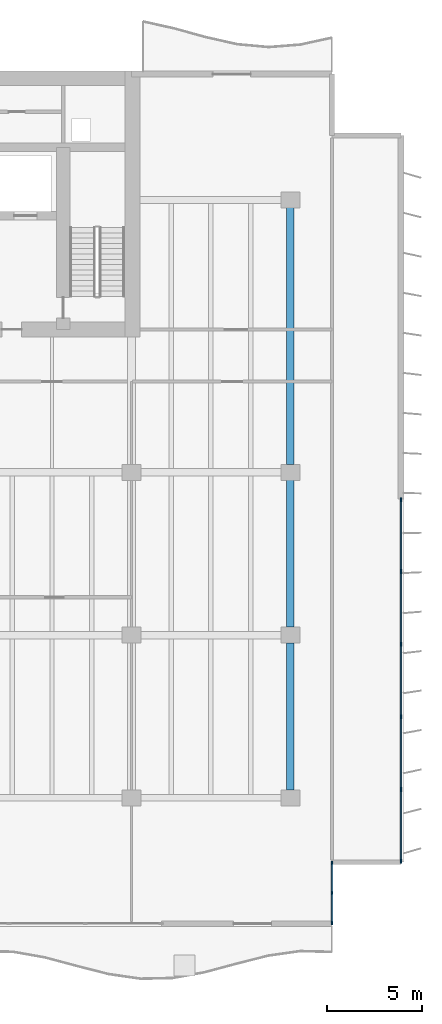
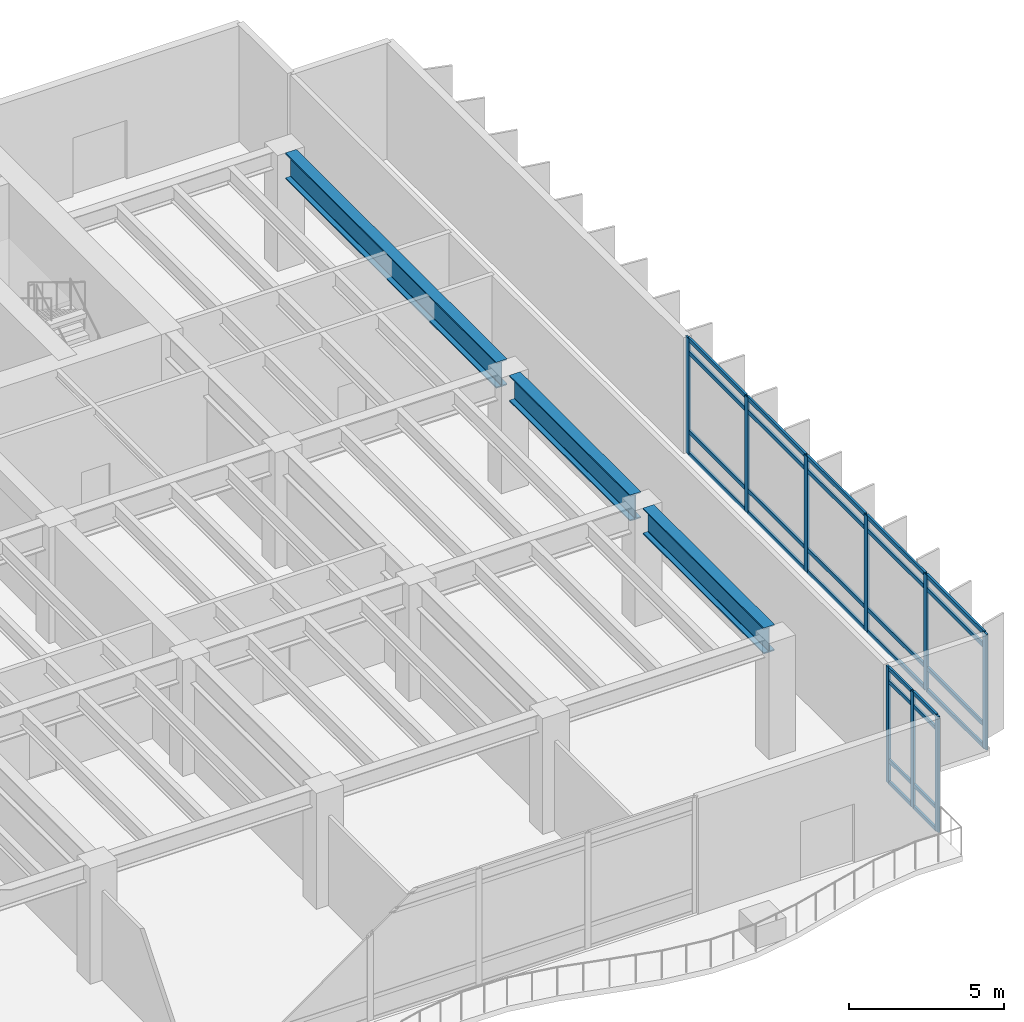
# One storey, part 6 of 16: 37 members, 3 beams, 2 elements without a shape of their own.
"""IFC4 building model written with IfcOpenShell, lengths in metres."""

from ifc_helpers import new_model, si_unit, direction, frame, origin, origin_2d, place, context, subcontext, project, spatial, rectangle, i_section, extrude, material, layer, layer_set, material_profile, profile_set, type_object, element, aggregate, save


model = new_model("IFC4")

# Units and contexts
model_context = context("Model", 3, precision=1e-05, world=origin(), true_north=direction((0.0, 1.0)))
body_context = subcontext(model_context, "Body", "Model", "MODEL_VIEW")
ifc_project = project(units=[si_unit("LENGTHUNIT", "METRE"), si_unit("AREAUNIT", "SQUARE_METRE"), si_unit("VOLUMEUNIT", "CUBIC_METRE"), si_unit("PLANEANGLEUNIT", "RADIAN"), si_unit("MASSUNIT", "GRAM", prefix="KILO")], contexts=[model_context])

# Site, building, storey
site_placement = place(None, origin())
site = spatial("IfcSite", under=ifc_project, at=site_placement, CompositionType="ELEMENT")
building_placement = place(site_placement, origin())
building = spatial("IfcBuilding", under=site, at=building_placement, Name="Caelmar Bay Residences", CompositionType="ELEMENT")
storey_placement = place(building_placement, frame((0.0, 0.0, 97.800048828125)))
storey = spatial("IfcBuildingStorey", under=building, at=storey_placement, Name="L26", CompositionType="ELEMENT", Elevation=97.800048828125)

# Beams
ifc_material_1 = material(Name="Steel ASTM A992 Grade 50", Category="steel")
ifc_material_profile_1 = material_profile(ifc_material_1, i_section(OverallWidth=0.404052734375, OverallDepth=1.02099609375, WebThickness=0.025390625, FlangeThickness=0.0458984375, FilletRadius=0.02294921875, at=origin_2d()), Name="W40X324")
ifc_profile_set_1 = profile_set([ifc_material_profile_1], Name="Steel ASTM A992 Grade 50")
beam_type = type_object("IfcBeamType", Name="BM-GRD-W40X324", PredefinedType="BEAM", material=ifc_profile_set_1)
for number, where, z_axis, x_axis, name in (
    (1, (67.89990234375, 12.614990234375, 4.03955078125), (0.0, 1.0, 0.0), (-1.0, 0.0, 0.0), "L26 North-South Girder X=67.90 (12.2-20.8)"),
    (2, (67.89990234375, 21.215087890625, 4.03955078125), (0.0, 1.0, 0.0), (-1.0, 0.0, 0.0), "L26 North-South Girder X=67.90 (20.8-29.4)"),
):
    element("IfcBeam", number, at=place(storey_placement, frame(where, z_axis=z_axis, x_axis=x_axis)), inside=storey, type_object=beam_type, Name=name, PredefinedType="BEAM", context=body_context, shape_type="SweptSolid", body=[
        extrude(i_section(OverallWidth=0.404052734375, OverallDepth=1.02099609375, WebThickness=0.025390625, FlangeThickness=0.0458984375, FilletRadius=0.02294921875, at=origin_2d()), origin(), (0.0, 0.0, 1.0), 7.77001953125),
    ])
beam_placement = place(storey_placement, frame((67.89990234375, 29.81494140625, 4.03955078125), z_axis=(0.0, 1.0, 0.0), x_axis=(-1.0, 0.0, 0.0)))
element("IfcBeam", 3, at=beam_placement, inside=storey, type_object=beam_type, Name="L26 North-South Girder X=67.90 (29.4-43.8)", PredefinedType="BEAM", context=body_context, shape_type="SweptSolid", body=[
    extrude(i_section(OverallWidth=0.404052734375, OverallDepth=1.02099609375, WebThickness=0.025390625, FlangeThickness=0.0458984375, FilletRadius=0.02294921875, at=origin_2d()), origin(), (0.0, 0.0, 1.0), 13.570068359375),
])

# Curtain wall, members
ifc_material_2 = material(Name="Anodised bronze aluminium 6063-T6 and laminated glass", Category="aluminium")
ifc_layer_1 = layer(ifc_material_2, 0.179931640625)
ifc_layer_set_1 = layer_set([ifc_layer_1], Name="Anodised bronze aluminium 6063-T6 and laminated glass")
curtain_wall_type_1 = type_object("IfcCurtainWallType", Name="CW6-NTC", PredefinedType="NOTDEFINED", material=ifc_layer_set_1)
curtain_wall_1_placement = place(storey_placement, origin())
curtain_wall_1 = element("IfcCurtainWall", 4, at=curtain_wall_1_placement, inside=storey, type_object=curtain_wall_type_1, Name="CW6 curtain wall L26", PredefinedType="NOTDEFINED")
ifc_material_3 = material(Name="Anodised bronze aluminium 6063-T6", Category="aluminium")
ifc_material_profile_2 = material_profile(ifc_material_3, rectangle(XDim=0.080078125, YDim=0.179931640625, at=origin_2d()), Name="CWM-80X180")
ifc_profile_set_2 = profile_set([ifc_material_profile_2], Name="Anodised bronze aluminium 6063-T6")
member_type_1 = type_object("IfcMemberType", Name="CWM-180", PredefinedType="MULLION", material=ifc_profile_set_2)
member_1_placement = place(storey_placement, frame((70.10009765625, 5.590087890625, 0.0), z_axis=(0.0, 0.0, 1.0), x_axis=(-1.0, 0.0, 0.0)))
member_1 = element("IfcMember", 5, at=member_1_placement, type_object=member_type_1, Name="CW6 mullion 1", PredefinedType="MULLION", context=body_context, shape_type="SweptSolid", body=[
    extrude(rectangle(XDim=0.080078125, YDim=0.179931640625, at=origin_2d()), origin(), (0.0, 0.0, 1.0), 4.550048828125),
])
member_2_placement = place(storey_placement, frame((70.10009765625, 7.175048828125, 0.0), z_axis=(0.0, 0.0, 1.0), x_axis=(-1.0, 0.0, 0.0)))
member_2 = element("IfcMember", 6, at=member_2_placement, type_object=member_type_1, Name="CW6 mullion 2", PredefinedType="MULLION", context=body_context, shape_type="SweptSolid", body=[
    extrude(rectangle(XDim=0.080078125, YDim=0.179931640625, at=origin_2d()), origin(), (0.0, 0.0, 1.0), 4.550048828125),
])
member_3_placement = place(storey_placement, frame((70.10009765625, 8.760009765625, 0.0), z_axis=(0.0, 0.0, 1.0), x_axis=(-1.0, 0.0, 0.0)))
member_3 = element("IfcMember", 7, at=member_3_placement, type_object=member_type_1, Name="CW6 mullion 3", PredefinedType="MULLION", context=body_context, shape_type="SweptSolid", body=[
    extrude(rectangle(XDim=0.080078125, YDim=0.179931640625, at=origin_2d()), origin(), (0.0, 0.0, 1.0), 4.550048828125),
])

ifc_layer_2 = layer(ifc_material_2, 0.179931640625)
ifc_layer_set_2 = layer_set([ifc_layer_2], Name="Anodised bronze aluminium 6063-T6 and laminated glass")
curtain_wall_type_2 = type_object("IfcCurtainWallType", Name="CW7-CRN", PredefinedType="NOTDEFINED", material=ifc_layer_set_2)
curtain_wall_2_placement = place(storey_placement, origin())
curtain_wall_2 = element("IfcCurtainWall", 8, at=curtain_wall_2_placement, inside=storey, type_object=curtain_wall_type_2, Name="CW7 curtain wall L26", PredefinedType="NOTDEFINED")
ifc_material_profile_3 = material_profile(ifc_material_3, rectangle(XDim=0.080078125, YDim=0.219970703125, at=origin_2d()), Name="CWM-80X220")
ifc_profile_set_3 = profile_set([ifc_material_profile_3], Name="Anodised bronze aluminium 6063-T6")
member_type_2 = type_object("IfcMemberType", Name="CWM-220", PredefinedType="MULLION", material=ifc_profile_set_3)
member_4_placement = place(storey_placement, frame((73.75, 27.9599609375, 0.0), z_axis=(0.0, 0.0, 1.0), x_axis=(1.0, 0.0, 0.0)))
member_4 = element("IfcMember", 9, at=member_4_placement, type_object=member_type_2, Name="CW7 mullion 1", PredefinedType="MULLION", context=body_context, shape_type="SweptSolid", body=[
    extrude(rectangle(XDim=0.080078125, YDim=0.219970703125, at=origin_2d()), origin(), (0.0, 0.0, 1.0), 4.550048828125),
])
member_5_placement = place(storey_placement, frame((73.75, 24.159912109375, 0.0), z_axis=(0.0, 0.0, 1.0), x_axis=(1.0, 0.0, 0.0)))
member_5 = element("IfcMember", 10, at=member_5_placement, type_object=member_type_2, Name="CW7 mullion 2", PredefinedType="MULLION", context=body_context, shape_type="SweptSolid", body=[
    extrude(rectangle(XDim=0.080078125, YDim=0.219970703125, at=origin_2d()), origin(), (0.0, 0.0, 1.0), 4.550048828125),
])
member_6_placement = place(storey_placement, frame((73.75, 20.320068359375, 0.0), z_axis=(0.0, 0.0, 1.0), x_axis=(1.0, 0.0, 0.0)))
member_6 = element("IfcMember", 11, at=member_6_placement, type_object=member_type_2, Name="CW7 mullion 3", PredefinedType="MULLION", context=body_context, shape_type="SweptSolid", body=[
    extrude(rectangle(XDim=0.080078125, YDim=0.219970703125, at=origin_2d()), origin(), (0.0, 0.0, 1.0), 4.550048828125),
])
member_7_placement = place(storey_placement, frame((73.75, 16.47998046875, 0.0), z_axis=(0.0, 0.0, 1.0), x_axis=(1.0, 0.0, 0.0)))
member_7 = element("IfcMember", 12, at=member_7_placement, type_object=member_type_2, Name="CW7 mullion 4", PredefinedType="MULLION", context=body_context, shape_type="SweptSolid", body=[
    extrude(rectangle(XDim=0.080078125, YDim=0.219970703125, at=origin_2d()), origin(), (0.0, 0.0, 1.0), 4.550048828125),
])
member_8_placement = place(storey_placement, frame((73.75, 12.639892578125, 0.0), z_axis=(0.0, 0.0, 1.0), x_axis=(1.0, 0.0, 0.0)))
member_8 = element("IfcMember", 13, at=member_8_placement, type_object=member_type_2, Name="CW7 mullion 5", PredefinedType="MULLION", context=body_context, shape_type="SweptSolid", body=[
    extrude(rectangle(XDim=0.080078125, YDim=0.219970703125, at=origin_2d()), origin(), (0.0, 0.0, 1.0), 4.550048828125),
])
member_9_placement = place(storey_placement, frame((73.75, 8.840087890625, 0.0), z_axis=(0.0, 0.0, 1.0), x_axis=(1.0, 0.0, 0.0)))
member_9 = element("IfcMember", 14, at=member_9_placement, type_object=member_type_2, Name="CW7 mullion 6", PredefinedType="MULLION", context=body_context, shape_type="SweptSolid", body=[
    extrude(rectangle(XDim=0.080078125, YDim=0.219970703125, at=origin_2d()), origin(), (0.0, 0.0, 1.0), 4.550048828125),
])

# Member
ifc_material_profile_4 = material_profile(ifc_material_3, rectangle(XDim=0.080078125, YDim=0.139892578125, at=origin_2d()), Name="CWT-80X140")
ifc_profile_set_4 = profile_set([ifc_material_profile_4], Name="Anodised bronze aluminium 6063-T6")
member_type_3 = type_object("IfcMemberType", Name="CWT-140", PredefinedType="NOTDEFINED", material=ifc_profile_set_4)
member_10_placement = place(storey_placement, frame((70.10009765625, 5.6298828125, 0.0400390625), z_axis=(0.0, 1.0, 0.0), x_axis=(-1.0, 0.0, 0.0)))
member_10 = element("IfcMember", 15, at=member_10_placement, type_object=member_type_3, Name="CW6 transom 1.1", ObjectType="TRANSOM", PredefinedType="USERDEFINED", context=body_context, shape_type="SweptSolid", body=[
    extrude(rectangle(XDim=0.080078125, YDim=0.139892578125, at=origin_2d()), origin(), (0.0, 0.0, 1.0), 1.505126953125),
])

member_11_placement = place(storey_placement, frame((70.10009765625, 5.6298828125, 0.89990234375), z_axis=(0.0, 1.0, 0.0), x_axis=(-1.0, 0.0, 0.0)))
member_11 = element("IfcMember", 16, at=member_11_placement, type_object=member_type_3, Name="CW6 transom 1.2", ObjectType="TRANSOM", PredefinedType="USERDEFINED", context=body_context, shape_type="SweptSolid", body=[
    extrude(rectangle(XDim=0.080078125, YDim=0.139892578125, at=origin_2d()), origin(), (0.0, 0.0, 1.0), 1.505126953125),
])

member_12_placement = place(storey_placement, frame((70.10009765625, 5.6298828125, 4.0), z_axis=(0.0, 1.0, 0.0), x_axis=(-1.0, 0.0, 0.0)))
member_12 = element("IfcMember", 17, at=member_12_placement, type_object=member_type_3, Name="CW6 transom 1.3", ObjectType="TRANSOM", PredefinedType="USERDEFINED", context=body_context, shape_type="SweptSolid", body=[
    extrude(rectangle(XDim=0.080078125, YDim=0.139892578125, at=origin_2d()), origin(), (0.0, 0.0, 1.0), 1.505126953125),
])

member_13_placement = place(storey_placement, frame((70.10009765625, 5.6298828125, 4.510009765625), z_axis=(0.0, 1.0, 0.0), x_axis=(-1.0, 0.0, 0.0)))
member_13 = element("IfcMember", 18, at=member_13_placement, type_object=member_type_3, Name="CW6 transom 1.4", ObjectType="TRANSOM", PredefinedType="USERDEFINED", context=body_context, shape_type="SweptSolid", body=[
    extrude(rectangle(XDim=0.080078125, YDim=0.139892578125, at=origin_2d()), origin(), (0.0, 0.0, 1.0), 1.505126953125),
])

member_14_placement = place(storey_placement, frame((70.10009765625, 7.215087890625, 0.0400390625), z_axis=(0.0, 1.0, 0.0), x_axis=(-1.0, 0.0, 0.0)))
member_14 = element("IfcMember", 19, at=member_14_placement, type_object=member_type_3, Name="CW6 transom 2.1", ObjectType="TRANSOM", PredefinedType="USERDEFINED", context=body_context, shape_type="SweptSolid", body=[
    extrude(rectangle(XDim=0.080078125, YDim=0.139892578125, at=origin_2d()), origin(), (0.0, 0.0, 1.0), 1.5048828125),
])

member_15_placement = place(storey_placement, frame((70.10009765625, 7.215087890625, 0.89990234375), z_axis=(0.0, 1.0, 0.0), x_axis=(-1.0, 0.0, 0.0)))
member_15 = element("IfcMember", 20, at=member_15_placement, type_object=member_type_3, Name="CW6 transom 2.2", ObjectType="TRANSOM", PredefinedType="USERDEFINED", context=body_context, shape_type="SweptSolid", body=[
    extrude(rectangle(XDim=0.080078125, YDim=0.139892578125, at=origin_2d()), origin(), (0.0, 0.0, 1.0), 1.5048828125),
])

member_16_placement = place(storey_placement, frame((70.10009765625, 7.215087890625, 4.0), z_axis=(0.0, 1.0, 0.0), x_axis=(-1.0, 0.0, 0.0)))
member_16 = element("IfcMember", 21, at=member_16_placement, type_object=member_type_3, Name="CW6 transom 2.3", ObjectType="TRANSOM", PredefinedType="USERDEFINED", context=body_context, shape_type="SweptSolid", body=[
    extrude(rectangle(XDim=0.080078125, YDim=0.139892578125, at=origin_2d()), origin(), (0.0, 0.0, 1.0), 1.5048828125),
])

member_17_placement = place(storey_placement, frame((70.10009765625, 7.215087890625, 4.510009765625), z_axis=(0.0, 1.0, 0.0), x_axis=(-1.0, 0.0, 0.0)))
member_17 = element("IfcMember", 22, at=member_17_placement, type_object=member_type_3, Name="CW6 transom 2.4", ObjectType="TRANSOM", PredefinedType="USERDEFINED", context=body_context, shape_type="SweptSolid", body=[
    extrude(rectangle(XDim=0.080078125, YDim=0.139892578125, at=origin_2d()), origin(), (0.0, 0.0, 1.0), 1.5048828125),
])

aggregate(curtain_wall_1, [member_1, member_2, member_3, member_10, member_11, member_12, member_13, member_14, member_15, member_16, member_17])

ifc_material_profile_5 = material_profile(ifc_material_3, rectangle(XDim=0.080078125, YDim=0.159912109375, at=origin_2d()), Name="CWT-80X160")
ifc_profile_set_5 = profile_set([ifc_material_profile_5], Name="Anodised bronze aluminium 6063-T6")
member_type_4 = type_object("IfcMemberType", Name="CWT-160", PredefinedType="NOTDEFINED", material=ifc_profile_set_5)
member_18_placement = place(storey_placement, frame((73.75, 27.919921875, 0.0400390625), z_axis=(0.0, -1.0, 0.0), x_axis=(1.0, 0.0, 0.0)))
member_18 = element("IfcMember", 23, at=member_18_placement, type_object=member_type_4, Name="CW7 transom 1.1", ObjectType="TRANSOM", PredefinedType="USERDEFINED", context=body_context, shape_type="SweptSolid", body=[
    extrude(rectangle(XDim=0.080078125, YDim=0.159912109375, at=origin_2d()), origin(), (0.0, 0.0, 1.0), 3.719970703125),
])

member_19_placement = place(storey_placement, frame((73.75, 27.919921875, 0.89990234375), z_axis=(0.0, -1.0, 0.0), x_axis=(1.0, 0.0, 0.0)))
member_19 = element("IfcMember", 24, at=member_19_placement, type_object=member_type_4, Name="CW7 transom 1.2", ObjectType="TRANSOM", PredefinedType="USERDEFINED", context=body_context, shape_type="SweptSolid", body=[
    extrude(rectangle(XDim=0.080078125, YDim=0.159912109375, at=origin_2d()), origin(), (0.0, 0.0, 1.0), 3.719970703125),
])

member_20_placement = place(storey_placement, frame((73.75, 27.919921875, 4.0), z_axis=(0.0, -1.0, 0.0), x_axis=(1.0, 0.0, 0.0)))
member_20 = element("IfcMember", 25, at=member_20_placement, type_object=member_type_4, Name="CW7 transom 1.3", ObjectType="TRANSOM", PredefinedType="USERDEFINED", context=body_context, shape_type="SweptSolid", body=[
    extrude(rectangle(XDim=0.080078125, YDim=0.159912109375, at=origin_2d()), origin(), (0.0, 0.0, 1.0), 3.719970703125),
])

member_21_placement = place(storey_placement, frame((73.75, 27.919921875, 4.510009765625), z_axis=(0.0, -1.0, 0.0), x_axis=(1.0, 0.0, 0.0)))
member_21 = element("IfcMember", 26, at=member_21_placement, type_object=member_type_4, Name="CW7 transom 1.4", ObjectType="TRANSOM", PredefinedType="USERDEFINED", context=body_context, shape_type="SweptSolid", body=[
    extrude(rectangle(XDim=0.080078125, YDim=0.159912109375, at=origin_2d()), origin(), (0.0, 0.0, 1.0), 3.719970703125),
])

member_22_placement = place(storey_placement, frame((73.75, 24.1201171875, 0.0400390625), z_axis=(0.0, -1.0, 0.0), x_axis=(1.0, 0.0, 0.0)))
member_22 = element("IfcMember", 27, at=member_22_placement, type_object=member_type_4, Name="CW7 transom 2.1", ObjectType="TRANSOM", PredefinedType="USERDEFINED", context=body_context, shape_type="SweptSolid", body=[
    extrude(rectangle(XDim=0.080078125, YDim=0.159912109375, at=origin_2d()), origin(), (0.0, 0.0, 1.0), 3.760009765625),
])

member_23_placement = place(storey_placement, frame((73.75, 24.1201171875, 0.89990234375), z_axis=(0.0, -1.0, 0.0), x_axis=(1.0, 0.0, 0.0)))
member_23 = element("IfcMember", 28, at=member_23_placement, type_object=member_type_4, Name="CW7 transom 2.2", ObjectType="TRANSOM", PredefinedType="USERDEFINED", context=body_context, shape_type="SweptSolid", body=[
    extrude(rectangle(XDim=0.080078125, YDim=0.159912109375, at=origin_2d()), origin(), (0.0, 0.0, 1.0), 3.760009765625),
])

member_24_placement = place(storey_placement, frame((73.75, 24.1201171875, 4.0), z_axis=(0.0, -1.0, 0.0), x_axis=(1.0, 0.0, 0.0)))
member_24 = element("IfcMember", 29, at=member_24_placement, type_object=member_type_4, Name="CW7 transom 2.3", ObjectType="TRANSOM", PredefinedType="USERDEFINED", context=body_context, shape_type="SweptSolid", body=[
    extrude(rectangle(XDim=0.080078125, YDim=0.159912109375, at=origin_2d()), origin(), (0.0, 0.0, 1.0), 3.760009765625),
])

member_25_placement = place(storey_placement, frame((73.75, 24.1201171875, 4.510009765625), z_axis=(0.0, -1.0, 0.0), x_axis=(1.0, 0.0, 0.0)))
member_25 = element("IfcMember", 30, at=member_25_placement, type_object=member_type_4, Name="CW7 transom 2.4", ObjectType="TRANSOM", PredefinedType="USERDEFINED", context=body_context, shape_type="SweptSolid", body=[
    extrude(rectangle(XDim=0.080078125, YDim=0.159912109375, at=origin_2d()), origin(), (0.0, 0.0, 1.0), 3.760009765625),
])

member_26_placement = place(storey_placement, frame((73.75, 20.280029296875, 0.0400390625), z_axis=(0.0, -1.0, 0.0), x_axis=(1.0, 0.0, 0.0)))
member_26 = element("IfcMember", 31, at=member_26_placement, type_object=member_type_4, Name="CW7 transom 3.1", ObjectType="TRANSOM", PredefinedType="USERDEFINED", context=body_context, shape_type="SweptSolid", body=[
    extrude(rectangle(XDim=0.080078125, YDim=0.159912109375, at=origin_2d()), origin(), (0.0, 0.0, 1.0), 3.760009765625),
])

member_27_placement = place(storey_placement, frame((73.75, 20.280029296875, 0.89990234375), z_axis=(0.0, -1.0, 0.0), x_axis=(1.0, 0.0, 0.0)))
member_27 = element("IfcMember", 32, at=member_27_placement, type_object=member_type_4, Name="CW7 transom 3.2", ObjectType="TRANSOM", PredefinedType="USERDEFINED", context=body_context, shape_type="SweptSolid", body=[
    extrude(rectangle(XDim=0.080078125, YDim=0.159912109375, at=origin_2d()), origin(), (0.0, 0.0, 1.0), 3.760009765625),
])

member_28_placement = place(storey_placement, frame((73.75, 20.280029296875, 4.0), z_axis=(0.0, -1.0, 0.0), x_axis=(1.0, 0.0, 0.0)))
member_28 = element("IfcMember", 33, at=member_28_placement, type_object=member_type_4, Name="CW7 transom 3.3", ObjectType="TRANSOM", PredefinedType="USERDEFINED", context=body_context, shape_type="SweptSolid", body=[
    extrude(rectangle(XDim=0.080078125, YDim=0.159912109375, at=origin_2d()), origin(), (0.0, 0.0, 1.0), 3.760009765625),
])

member_29_placement = place(storey_placement, frame((73.75, 20.280029296875, 4.510009765625), z_axis=(0.0, -1.0, 0.0), x_axis=(1.0, 0.0, 0.0)))
member_29 = element("IfcMember", 34, at=member_29_placement, type_object=member_type_4, Name="CW7 transom 3.4", ObjectType="TRANSOM", PredefinedType="USERDEFINED", context=body_context, shape_type="SweptSolid", body=[
    extrude(rectangle(XDim=0.080078125, YDim=0.159912109375, at=origin_2d()), origin(), (0.0, 0.0, 1.0), 3.760009765625),
])

member_30_placement = place(storey_placement, frame((73.75, 16.43994140625, 0.0400390625), z_axis=(0.0, -1.0, 0.0), x_axis=(1.0, 0.0, 0.0)))
member_30 = element("IfcMember", 35, at=member_30_placement, type_object=member_type_4, Name="CW7 transom 4.1", ObjectType="TRANSOM", PredefinedType="USERDEFINED", context=body_context, shape_type="SweptSolid", body=[
    extrude(rectangle(XDim=0.080078125, YDim=0.159912109375, at=origin_2d()), origin(), (0.0, 0.0, 1.0), 3.760009765625),
])

member_31_placement = place(storey_placement, frame((73.75, 16.43994140625, 0.89990234375), z_axis=(0.0, -1.0, 0.0), x_axis=(1.0, 0.0, 0.0)))
member_31 = element("IfcMember", 36, at=member_31_placement, type_object=member_type_4, Name="CW7 transom 4.2", ObjectType="TRANSOM", PredefinedType="USERDEFINED", context=body_context, shape_type="SweptSolid", body=[
    extrude(rectangle(XDim=0.080078125, YDim=0.159912109375, at=origin_2d()), origin(), (0.0, 0.0, 1.0), 3.760009765625),
])

member_32_placement = place(storey_placement, frame((73.75, 16.43994140625, 4.0), z_axis=(0.0, -1.0, 0.0), x_axis=(1.0, 0.0, 0.0)))
member_32 = element("IfcMember", 37, at=member_32_placement, type_object=member_type_4, Name="CW7 transom 4.3", ObjectType="TRANSOM", PredefinedType="USERDEFINED", context=body_context, shape_type="SweptSolid", body=[
    extrude(rectangle(XDim=0.080078125, YDim=0.159912109375, at=origin_2d()), origin(), (0.0, 0.0, 1.0), 3.760009765625),
])

member_33_placement = place(storey_placement, frame((73.75, 16.43994140625, 4.510009765625), z_axis=(0.0, -1.0, 0.0), x_axis=(1.0, 0.0, 0.0)))
member_33 = element("IfcMember", 38, at=member_33_placement, type_object=member_type_4, Name="CW7 transom 4.4", ObjectType="TRANSOM", PredefinedType="USERDEFINED", context=body_context, shape_type="SweptSolid", body=[
    extrude(rectangle(XDim=0.080078125, YDim=0.159912109375, at=origin_2d()), origin(), (0.0, 0.0, 1.0), 3.760009765625),
])

member_34_placement = place(storey_placement, frame((73.75, 12.60009765625, 0.0400390625), z_axis=(0.0, -1.0, 0.0), x_axis=(1.0, 0.0, 0.0)))
member_34 = element("IfcMember", 39, at=member_34_placement, type_object=member_type_4, Name="CW7 transom 5.1", ObjectType="TRANSOM", PredefinedType="USERDEFINED", context=body_context, shape_type="SweptSolid", body=[
    extrude(rectangle(XDim=0.080078125, YDim=0.159912109375, at=origin_2d()), origin(), (0.0, 0.0, 1.0), 3.72021484375),
])

member_35_placement = place(storey_placement, frame((73.75, 12.60009765625, 0.89990234375), z_axis=(0.0, -1.0, 0.0), x_axis=(1.0, 0.0, 0.0)))
member_35 = element("IfcMember", 40, at=member_35_placement, type_object=member_type_4, Name="CW7 transom 5.2", ObjectType="TRANSOM", PredefinedType="USERDEFINED", context=body_context, shape_type="SweptSolid", body=[
    extrude(rectangle(XDim=0.080078125, YDim=0.159912109375, at=origin_2d()), origin(), (0.0, 0.0, 1.0), 3.72021484375),
])

member_36_placement = place(storey_placement, frame((73.75, 12.60009765625, 4.0), z_axis=(0.0, -1.0, 0.0), x_axis=(1.0, 0.0, 0.0)))
member_36 = element("IfcMember", 41, at=member_36_placement, type_object=member_type_4, Name="CW7 transom 5.3", ObjectType="TRANSOM", PredefinedType="USERDEFINED", context=body_context, shape_type="SweptSolid", body=[
    extrude(rectangle(XDim=0.080078125, YDim=0.159912109375, at=origin_2d()), origin(), (0.0, 0.0, 1.0), 3.72021484375),
])

member_37_placement = place(storey_placement, frame((73.75, 12.60009765625, 4.510009765625), z_axis=(0.0, -1.0, 0.0), x_axis=(1.0, 0.0, 0.0)))
member_37 = element("IfcMember", 42, at=member_37_placement, type_object=member_type_4, Name="CW7 transom 5.4", ObjectType="TRANSOM", PredefinedType="USERDEFINED", context=body_context, shape_type="SweptSolid", body=[
    extrude(rectangle(XDim=0.080078125, YDim=0.159912109375, at=origin_2d()), origin(), (0.0, 0.0, 1.0), 3.72021484375),
])

aggregate(curtain_wall_2, [member_4, member_5, member_6, member_7, member_8, member_9, member_18, member_19, member_20, member_21, member_22, member_23, member_24, member_25, member_26, member_27, member_28, member_29, member_30, member_31, member_32, member_33, member_34, member_35, member_36, member_37])

save(model, "model.ifc")
